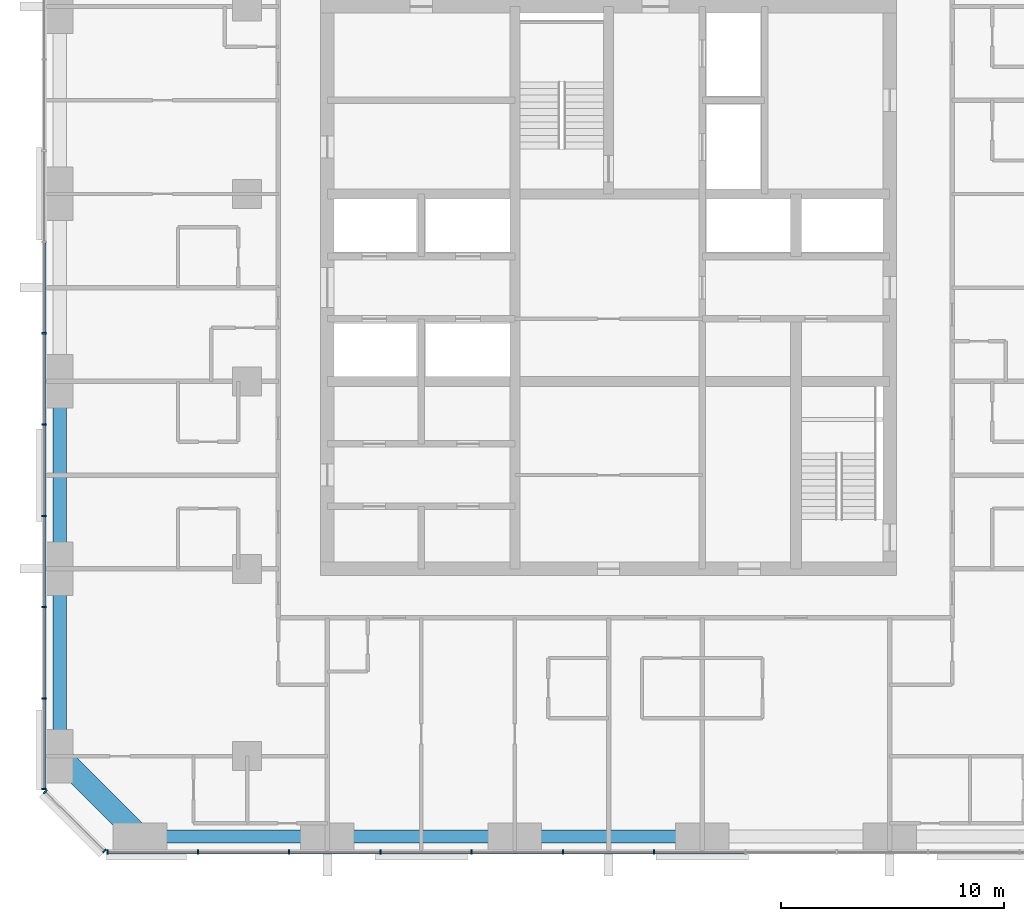
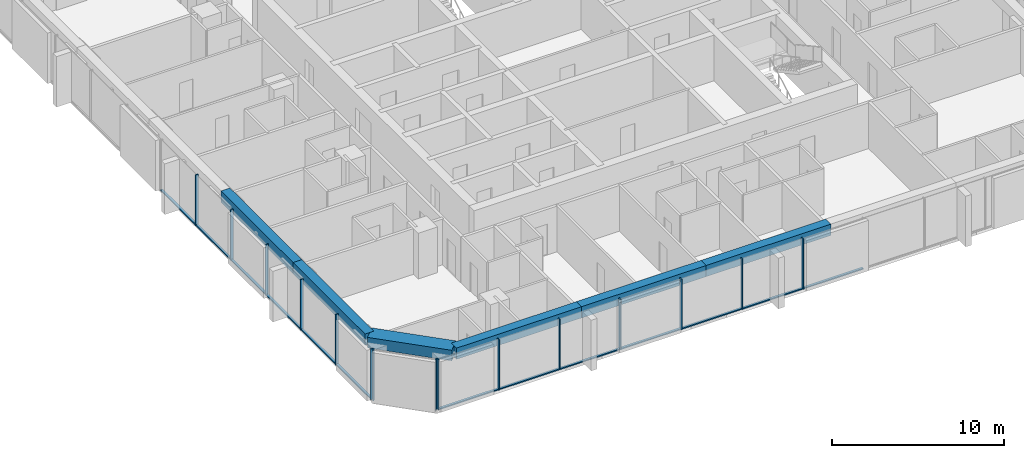
# One storey, part 2 of 13: 28 members, 6 beams, 3 elements without a shape of their own.
"""IFC4 building model written with IfcOpenShell, lengths in metres."""

from ifc_helpers import new_model, si_unit, direction, frame, origin, origin_2d, place, context, subcontext, project, spatial, rectangle, extrude, material, material_profile, profile_set, type_object, element, aggregate, save


model = new_model("IFC4")

# Units and contexts
model_context = context("Model", 3, precision=1e-05, world=origin(), true_north=direction((0.0, 1.0)))
body_context = subcontext(model_context, "Body", "Model", "MODEL_VIEW")
ifc_project = project(units=[si_unit("LENGTHUNIT", "METRE"), si_unit("AREAUNIT", "SQUARE_METRE"), si_unit("VOLUMEUNIT", "CUBIC_METRE"), si_unit("PLANEANGLEUNIT", "RADIAN"), si_unit("MASSUNIT", "GRAM", prefix="KILO")], contexts=[model_context])

# Site, building, storey
site_placement = place(None, origin())
site = spatial("IfcSite", under=ifc_project, at=site_placement, CompositionType="ELEMENT")
building_placement = place(site_placement, origin())
building = spatial("IfcBuilding", under=site, at=building_placement, Name="Dunama Terrace Hotel", CompositionType="ELEMENT")
storey_placement = place(building_placement, frame((0.0, 0.0, 205.800048828125)))
storey = spatial("IfcBuildingStorey", under=building, at=storey_placement, Name="L53", CompositionType="ELEMENT", Elevation=205.800048828125)

# Curtain wall, members
ifc_material_1 = material(Name="Aluminium curtain wall system", Category="aluminium")
curtain_wall_type = type_object("IfcCurtainWallType", Name="Unitised fritted glass wall CW-C", PredefinedType="NOTDEFINED", material=ifc_material_1)
curtain_wall_1_placement = place(storey_placement, origin())
curtain_wall_1 = element("IfcCurtainWall", 1, at=curtain_wall_1_placement, inside=storey, type_object=curtain_wall_type, Name="Unitised fritted glass wall CW-C L53", PredefinedType="NOTDEFINED")
ifc_material_2 = material(Name="Aluminium mullion", Category="aluminium")
ifc_material_profile_1 = material_profile(ifc_material_2, rectangle(XDim=0.070068359375, YDim=0.199951171875, at=origin_2d()), Name="CWC MULLION 70X200")
ifc_profile_set_1 = profile_set([ifc_material_profile_1], Name="Aluminium mullion")
member_type_1 = type_object("IfcMemberType", Name="CWC mullion 70x200", PredefinedType="MULLION", material=ifc_profile_set_1)
member_1_placement = place(storey_placement, frame((6.93505859375, 4.10009765625, 0.0), z_axis=(0.0, 0.0, 1.0), x_axis=(1.0, 0.0, 0.0)))
member_1 = element("IfcMember", 2, at=member_1_placement, type_object=member_type_1, Name="CWC mullion", PredefinedType="MULLION", context=body_context, shape_type="SweptSolid", body=[
    extrude(rectangle(XDim=0.070068359375, YDim=0.199951171875, at=origin_2d()), origin(), (0.0, 0.0, 1.0), 3.599853515625),
])
member_2_placement = place(storey_placement, frame((10.990966796875, 4.10009765625, 0.0), z_axis=(0.0, 0.0, 1.0), x_axis=(1.0, 0.0, 0.0)))
member_2 = element("IfcMember", 3, at=member_2_placement, type_object=member_type_1, Name="CWC mullion", PredefinedType="MULLION", context=body_context, shape_type="SweptSolid", body=[
    extrude(rectangle(XDim=0.070068359375, YDim=0.199951171875, at=origin_2d()), origin(), (0.0, 0.0, 1.0), 3.599853515625),
])
member_3_placement = place(storey_placement, frame((15.08203125, 4.10009765625, 0.0), z_axis=(0.0, 0.0, 1.0), x_axis=(1.0, 0.0, 0.0)))
member_3 = element("IfcMember", 4, at=member_3_placement, type_object=member_type_1, Name="CWC mullion", PredefinedType="MULLION", context=body_context, shape_type="SweptSolid", body=[
    extrude(rectangle(XDim=0.070068359375, YDim=0.199951171875, at=origin_2d()), origin(), (0.0, 0.0, 1.0), 3.599853515625),
])
member_4_placement = place(storey_placement, frame((19.173095703125, 4.10009765625, 0.0), z_axis=(0.0, 0.0, 1.0), x_axis=(1.0, 0.0, 0.0)))
member_4 = element("IfcMember", 5, at=member_4_placement, type_object=member_type_1, Name="CWC mullion", PredefinedType="MULLION", context=body_context, shape_type="SweptSolid", body=[
    extrude(rectangle(XDim=0.070068359375, YDim=0.199951171875, at=origin_2d()), origin(), (0.0, 0.0, 1.0), 3.599853515625),
])
member_5_placement = place(storey_placement, frame((23.263916015625, 4.10009765625, 0.0), z_axis=(0.0, 0.0, 1.0), x_axis=(1.0, 0.0, 0.0)))
member_5 = element("IfcMember", 6, at=member_5_placement, type_object=member_type_1, Name="CWC mullion", PredefinedType="MULLION", context=body_context, shape_type="SweptSolid", body=[
    extrude(rectangle(XDim=0.070068359375, YDim=0.199951171875, at=origin_2d()), origin(), (0.0, 0.0, 1.0), 3.599853515625),
])
member_6_placement = place(storey_placement, frame((27.35498046875, 4.10009765625, 0.0), z_axis=(0.0, 0.0, 1.0), x_axis=(1.0, 0.0, 0.0)))
member_6 = element("IfcMember", 7, at=member_6_placement, type_object=member_type_1, Name="CWC mullion", PredefinedType="MULLION", context=body_context, shape_type="SweptSolid", body=[
    extrude(rectangle(XDim=0.070068359375, YDim=0.199951171875, at=origin_2d()), origin(), (0.0, 0.0, 1.0), 3.599853515625),
])
member_7_placement = place(storey_placement, frame((31.445068359375, 4.10009765625, 0.0), z_axis=(0.0, 0.0, 1.0), x_axis=(1.0, 0.0, 0.0)))
member_7 = element("IfcMember", 8, at=member_7_placement, type_object=member_type_1, Name="CWC mullion", PredefinedType="MULLION", context=body_context, shape_type="SweptSolid", body=[
    extrude(rectangle(XDim=0.070068359375, YDim=0.199951171875, at=origin_2d()), origin(), (0.0, 0.0, 1.0), 3.599853515625),
])

curtain_wall_2_placement = place(storey_placement, origin())
curtain_wall_2 = element("IfcCurtainWall", 9, at=curtain_wall_2_placement, inside=storey, type_object=curtain_wall_type, Name="Unitised fritted glass wall CW-C L53", PredefinedType="NOTDEFINED")
member_8_placement = place(storey_placement, frame((4.10009765625, 27.35498046875, 0.0), z_axis=(0.0, 0.0, 1.0), x_axis=(0.0, -1.0, 0.0)))
member_8 = element("IfcMember", 10, at=member_8_placement, type_object=member_type_1, Name="CWC mullion", PredefinedType="MULLION", context=body_context, shape_type="SweptSolid", body=[
    extrude(rectangle(XDim=0.070068359375, YDim=0.199951171875, at=origin_2d()), origin(), (0.0, 0.0, 1.0), 3.599853515625),
])
member_9_placement = place(storey_placement, frame((4.10009765625, 23.263916015625, 0.0), z_axis=(0.0, 0.0, 1.0), x_axis=(0.0, -1.0, 0.0)))
member_9 = element("IfcMember", 11, at=member_9_placement, type_object=member_type_1, Name="CWC mullion", PredefinedType="MULLION", context=body_context, shape_type="SweptSolid", body=[
    extrude(rectangle(XDim=0.070068359375, YDim=0.199951171875, at=origin_2d()), origin(), (0.0, 0.0, 1.0), 3.599853515625),
])
member_10_placement = place(storey_placement, frame((4.10009765625, 19.173095703125, 0.0), z_axis=(0.0, 0.0, 1.0), x_axis=(0.0, -1.0, 0.0)))
member_10 = element("IfcMember", 12, at=member_10_placement, type_object=member_type_1, Name="CWC mullion", PredefinedType="MULLION", context=body_context, shape_type="SweptSolid", body=[
    extrude(rectangle(XDim=0.070068359375, YDim=0.199951171875, at=origin_2d()), origin(), (0.0, 0.0, 1.0), 3.599853515625),
])
member_11_placement = place(storey_placement, frame((4.10009765625, 15.08203125, 0.0), z_axis=(0.0, 0.0, 1.0), x_axis=(0.0, -1.0, 0.0)))
member_11 = element("IfcMember", 13, at=member_11_placement, type_object=member_type_1, Name="CWC mullion", PredefinedType="MULLION", context=body_context, shape_type="SweptSolid", body=[
    extrude(rectangle(XDim=0.070068359375, YDim=0.199951171875, at=origin_2d()), origin(), (0.0, 0.0, 1.0), 3.599853515625),
])
member_12_placement = place(storey_placement, frame((4.10009765625, 10.990966796875, 0.0), z_axis=(0.0, 0.0, 1.0), x_axis=(0.0, -1.0, 0.0)))
member_12 = element("IfcMember", 14, at=member_12_placement, type_object=member_type_1, Name="CWC mullion", PredefinedType="MULLION", context=body_context, shape_type="SweptSolid", body=[
    extrude(rectangle(XDim=0.070068359375, YDim=0.199951171875, at=origin_2d()), origin(), (0.0, 0.0, 1.0), 3.599853515625),
])
member_13_placement = place(storey_placement, frame((4.10009765625, 6.93505859375, 0.0), z_axis=(0.0, 0.0, 1.0), x_axis=(0.0, -1.0, 0.0)))
member_13 = element("IfcMember", 15, at=member_13_placement, type_object=member_type_1, Name="CWC mullion", PredefinedType="MULLION", context=body_context, shape_type="SweptSolid", body=[
    extrude(rectangle(XDim=0.070068359375, YDim=0.199951171875, at=origin_2d()), origin(), (0.0, 0.0, 1.0), 3.599853515625),
])

curtain_wall_3_placement = place(storey_placement, origin())
curtain_wall_3 = element("IfcCurtainWall", 16, at=curtain_wall_3_placement, inside=storey, type_object=curtain_wall_type, Name="Unitised fritted glass wall CW-C L53", PredefinedType="NOTDEFINED")
member_14_placement = place(storey_placement, frame((4.154052734375, 6.804931640625, 0.0), z_axis=(0.0, 0.0, 1.0), x_axis=(0.707106781187, -0.707106781187, 0.0)))
member_14 = element("IfcMember", 17, at=member_14_placement, type_object=member_type_1, Name="CWC mullion", PredefinedType="MULLION", context=body_context, shape_type="SweptSolid", body=[
    extrude(rectangle(XDim=0.070068359375, YDim=0.199951171875, at=origin_2d()), origin(), (0.0, 0.0, 1.0), 3.599853515625),
])
member_15_placement = place(storey_placement, frame((6.804931640625, 4.154052734375, 0.0), z_axis=(0.0, 0.0, 1.0), x_axis=(0.707106781187, -0.707106781187, 0.0)))
member_15 = element("IfcMember", 18, at=member_15_placement, type_object=member_type_1, Name="CWC mullion", PredefinedType="MULLION", context=body_context, shape_type="SweptSolid", body=[
    extrude(rectangle(XDim=0.070068359375, YDim=0.199951171875, at=origin_2d()), origin(), (0.0, 0.0, 1.0), 3.599853515625),
])
aggregate(curtain_wall_3, [member_14, member_15])

# Member
ifc_material_3 = material(Name="Aluminium transom", Category="aluminium")
ifc_material_profile_2 = material_profile(ifc_material_3, rectangle(XDim=0.159912109375, YDim=0.080078125, at=origin_2d()), Name="CWC TRANSOM 160X80")
ifc_profile_set_2 = profile_set([ifc_material_profile_2], Name="Aluminium transom")
member_type_2 = type_object("IfcMemberType", Name="CWC transom 160x80", PredefinedType="USERDEFINED", material=ifc_profile_set_2)
member_16_placement = place(storey_placement, frame((6.969970703125, 4.10009765625, 0.0400390625), z_axis=(1.0, 0.0, 0.0), x_axis=(0.0, 1.0, 0.0)))
member_16 = element("IfcMember", 19, at=member_16_placement, type_object=member_type_2, Name="CWC transom", ObjectType="TRANSOM", PredefinedType="USERDEFINED", context=body_context, shape_type="SweptSolid", body=[
    extrude(rectangle(XDim=0.159912109375, YDim=0.080078125, at=origin_2d()), origin(), (0.0, 0.0, 1.0), 3.986083984375),
])

member_17_placement = place(storey_placement, frame((11.02587890625, 4.10009765625, 0.0400390625), z_axis=(1.0, 0.0, 0.0), x_axis=(0.0, 1.0, 0.0)))
member_17 = element("IfcMember", 20, at=member_17_placement, type_object=member_type_2, Name="CWC transom", ObjectType="TRANSOM", PredefinedType="USERDEFINED", context=body_context, shape_type="SweptSolid", body=[
    extrude(rectangle(XDim=0.159912109375, YDim=0.080078125, at=origin_2d()), origin(), (0.0, 0.0, 1.0), 4.021240234375),
])

member_18_placement = place(storey_placement, frame((15.116943359375, 4.10009765625, 0.0400390625), z_axis=(1.0, 0.0, 0.0), x_axis=(0.0, 1.0, 0.0)))
member_18 = element("IfcMember", 21, at=member_18_placement, type_object=member_type_2, Name="CWC transom", ObjectType="TRANSOM", PredefinedType="USERDEFINED", context=body_context, shape_type="SweptSolid", body=[
    extrude(rectangle(XDim=0.159912109375, YDim=0.080078125, at=origin_2d()), origin(), (0.0, 0.0, 1.0), 4.02099609375),
])

member_19_placement = place(storey_placement, frame((19.2080078125, 4.10009765625, 0.0400390625), z_axis=(1.0, 0.0, 0.0), x_axis=(0.0, 1.0, 0.0)))
member_19 = element("IfcMember", 22, at=member_19_placement, type_object=member_type_2, Name="CWC transom", ObjectType="TRANSOM", PredefinedType="USERDEFINED", context=body_context, shape_type="SweptSolid", body=[
    extrude(rectangle(XDim=0.159912109375, YDim=0.080078125, at=origin_2d()), origin(), (0.0, 0.0, 1.0), 4.02099609375),
])

member_20_placement = place(storey_placement, frame((23.299072265625, 4.10009765625, 0.0400390625), z_axis=(1.0, 0.0, 0.0), x_axis=(0.0, 1.0, 0.0)))
member_20 = element("IfcMember", 23, at=member_20_placement, type_object=member_type_2, Name="CWC transom", ObjectType="TRANSOM", PredefinedType="USERDEFINED", context=body_context, shape_type="SweptSolid", body=[
    extrude(rectangle(XDim=0.159912109375, YDim=0.080078125, at=origin_2d()), origin(), (0.0, 0.0, 1.0), 4.02099609375),
])

member_21_placement = place(storey_placement, frame((27.389892578125, 4.10009765625, 0.0400390625), z_axis=(1.0, 0.0, 0.0), x_axis=(0.0, 1.0, 0.0)))
member_21 = element("IfcMember", 24, at=member_21_placement, type_object=member_type_2, Name="CWC transom", ObjectType="TRANSOM", PredefinedType="USERDEFINED", context=body_context, shape_type="SweptSolid", body=[
    extrude(rectangle(XDim=0.159912109375, YDim=0.080078125, at=origin_2d()), origin(), (0.0, 0.0, 1.0), 4.02001953125),
])

member_22_placement = place(storey_placement, frame((31.47998046875, 4.10009765625, 0.0400390625), z_axis=(1.0, 0.0, 0.0), x_axis=(0.0, 1.0, 0.0)))
member_22 = element("IfcMember", 25, at=member_22_placement, type_object=member_type_2, Name="CWC transom", ObjectType="TRANSOM", PredefinedType="USERDEFINED", context=body_context, shape_type="SweptSolid", body=[
    extrude(rectangle(XDim=0.159912109375, YDim=0.080078125, at=origin_2d()), origin(), (0.0, 0.0, 1.0), 4.02099609375),
])

aggregate(curtain_wall_1, [member_1, member_2, member_3, member_4, member_5, member_6, member_7, member_16, member_17, member_18, member_19, member_20, member_21, member_22])

member_23_placement = place(storey_placement, frame((4.10009765625, 31.409912109375, 0.0400390625), z_axis=(0.0, -1.0, 0.0), x_axis=(1.0, 0.0, 0.0)))
member_23 = element("IfcMember", 26, at=member_23_placement, type_object=member_type_2, Name="CWC transom", ObjectType="TRANSOM", PredefinedType="USERDEFINED", context=body_context, shape_type="SweptSolid", body=[
    extrude(rectangle(XDim=0.159912109375, YDim=0.080078125, at=origin_2d()), origin(), (0.0, 0.0, 1.0), 4.02001953125),
])

member_24_placement = place(storey_placement, frame((4.10009765625, 27.320068359375, 0.0400390625), z_axis=(0.0, -1.0, 0.0), x_axis=(1.0, 0.0, 0.0)))
member_24 = element("IfcMember", 27, at=member_24_placement, type_object=member_type_2, Name="CWC transom", ObjectType="TRANSOM", PredefinedType="USERDEFINED", context=body_context, shape_type="SweptSolid", body=[
    extrude(rectangle(XDim=0.159912109375, YDim=0.080078125, at=origin_2d()), origin(), (0.0, 0.0, 1.0), 4.02099609375),
])

member_25_placement = place(storey_placement, frame((4.10009765625, 23.22900390625, 0.0400390625), z_axis=(0.0, -1.0, 0.0), x_axis=(1.0, 0.0, 0.0)))
member_25 = element("IfcMember", 28, at=member_25_placement, type_object=member_type_2, Name="CWC transom", ObjectType="TRANSOM", PredefinedType="USERDEFINED", context=body_context, shape_type="SweptSolid", body=[
    extrude(rectangle(XDim=0.159912109375, YDim=0.080078125, at=origin_2d()), origin(), (0.0, 0.0, 1.0), 4.02099609375),
])

member_26_placement = place(storey_placement, frame((4.10009765625, 19.137939453125, 0.0400390625), z_axis=(0.0, -1.0, 0.0), x_axis=(1.0, 0.0, 0.0)))
member_26 = element("IfcMember", 29, at=member_26_placement, type_object=member_type_2, Name="CWC transom", ObjectType="TRANSOM", PredefinedType="USERDEFINED", context=body_context, shape_type="SweptSolid", body=[
    extrude(rectangle(XDim=0.159912109375, YDim=0.080078125, at=origin_2d()), origin(), (0.0, 0.0, 1.0), 4.02099609375),
])

member_27_placement = place(storey_placement, frame((4.10009765625, 15.047119140625, 0.0400390625), z_axis=(0.0, -1.0, 0.0), x_axis=(1.0, 0.0, 0.0)))
member_27 = element("IfcMember", 30, at=member_27_placement, type_object=member_type_2, Name="CWC transom", ObjectType="TRANSOM", PredefinedType="USERDEFINED", context=body_context, shape_type="SweptSolid", body=[
    extrude(rectangle(XDim=0.159912109375, YDim=0.080078125, at=origin_2d()), origin(), (0.0, 0.0, 1.0), 4.021240234375),
])

member_28_placement = place(storey_placement, frame((4.10009765625, 10.9560546875, 0.0400390625), z_axis=(0.0, -1.0, 0.0), x_axis=(1.0, 0.0, 0.0)))
member_28 = element("IfcMember", 31, at=member_28_placement, type_object=member_type_2, Name="CWC transom", ObjectType="TRANSOM", PredefinedType="USERDEFINED", context=body_context, shape_type="SweptSolid", body=[
    extrude(rectangle(XDim=0.159912109375, YDim=0.080078125, at=origin_2d()), origin(), (0.0, 0.0, 1.0), 3.986083984375),
])

aggregate(curtain_wall_2, [member_8, member_9, member_10, member_11, member_12, member_13, member_23, member_24, member_25, member_26, member_27, member_28])

# Beams
ifc_material_4 = material(Name="Concrete C50/60", Category="concrete")
ifc_material_profile_3 = material_profile(ifc_material_4, rectangle(XDim=1.0, YDim=0.75, at=origin_2d()), Name="RC 1000x750")
ifc_profile_set_3 = profile_set([ifc_material_profile_3], Name="Concrete C50/60")
beam_type_1 = type_object("IfcBeamType", Name="Edge beam RC 1000x750", PredefinedType="SPANDREL", material=ifc_profile_set_3)
beam_1_placement = place(storey_placement, frame((8.39990234375, 4.800048828125, 3.224853515625), z_axis=(-0.707106781187, 0.707106781187, 0.0), x_axis=(-0.707106781187, -0.707106781187, 0.0)))
element("IfcBeam", 32, at=beam_1_placement, inside=storey, type_object=beam_type_1, Name="Corner edge beam under L54", PredefinedType="SPANDREL", context=body_context, shape_type="SweptSolid", body=[
    extrude(rectangle(XDim=1.0, YDim=0.75, at=origin_2d()), origin(), (0.0, 0.0, 1.0), 5.091064453125),
])
ifc_material_5 = material(Name="Concrete C40/50", Category="concrete")
ifc_material_profile_4 = material_profile(ifc_material_5, rectangle(XDim=0.60009765625, YDim=0.800048828125, at=origin_2d()), Name="RC 600x800")
ifc_profile_set_4 = profile_set([ifc_material_profile_4], Name="Concrete C40/50")
beam_type_2 = type_object("IfcBeamType", Name="Edge beam RC 600x800", PredefinedType="SPANDREL", material=ifc_profile_set_4)
beam_2_placement = place(storey_placement, frame((4.800048828125, 8.39990234375, 3.199951171875), z_axis=(0.0, 1.0, 0.0), x_axis=(-1.0, 0.0, 0.0)))
element("IfcBeam", 33, at=beam_2_placement, inside=storey, type_object=beam_type_2, Name="Edge beam under L54", PredefinedType="SPANDREL", context=body_context, shape_type="SweptSolid", body=[
    extrude(rectangle(XDim=0.60009765625, YDim=0.800048828125, at=origin_2d()), origin(), (0.0, 0.0, 1.0), 8.400146484375),
])
beam_3_placement = place(storey_placement, frame((4.800048828125, 16.800048828125, 3.199951171875), z_axis=(0.0, 1.0, 0.0), x_axis=(-1.0, 0.0, 0.0)))
element("IfcBeam", 34, at=beam_3_placement, inside=storey, type_object=beam_type_2, Name="Edge beam under L54", PredefinedType="SPANDREL", context=body_context, shape_type="SweptSolid", body=[
    extrude(rectangle(XDim=0.60009765625, YDim=0.800048828125, at=origin_2d()), origin(), (0.0, 0.0, 1.0), 8.39990234375),
])
beam_4_placement = place(storey_placement, frame((8.39990234375, 4.800048828125, 3.199951171875), z_axis=(1.0, 0.0, 0.0), x_axis=(0.0, 1.0, 0.0)))
element("IfcBeam", 35, at=beam_4_placement, inside=storey, type_object=beam_type_2, Name="Edge beam under L54", PredefinedType="SPANDREL", context=body_context, shape_type="SweptSolid", body=[
    extrude(rectangle(XDim=0.60009765625, YDim=0.800048828125, at=origin_2d()), origin(), (0.0, 0.0, 1.0), 8.400146484375),
])
beam_5_placement = place(storey_placement, frame((16.800048828125, 4.800048828125, 3.199951171875), z_axis=(1.0, 0.0, 0.0), x_axis=(0.0, 1.0, 0.0)))
element("IfcBeam", 36, at=beam_5_placement, inside=storey, type_object=beam_type_2, Name="Edge beam under L54", PredefinedType="SPANDREL", context=body_context, shape_type="SweptSolid", body=[
    extrude(rectangle(XDim=0.60009765625, YDim=0.800048828125, at=origin_2d()), origin(), (0.0, 0.0, 1.0), 8.39990234375),
])
beam_6_placement = place(storey_placement, frame((25.199951171875, 4.800048828125, 3.199951171875), z_axis=(1.0, 0.0, 0.0), x_axis=(0.0, 1.0, 0.0)))
element("IfcBeam", 37, at=beam_6_placement, inside=storey, type_object=beam_type_2, Name="Edge beam under L54", PredefinedType="SPANDREL", context=body_context, shape_type="SweptSolid", body=[
    extrude(rectangle(XDim=0.60009765625, YDim=0.800048828125, at=origin_2d()), origin(), (0.0, 0.0, 1.0), 8.400146484375),
])

save(model, "model.ifc")
